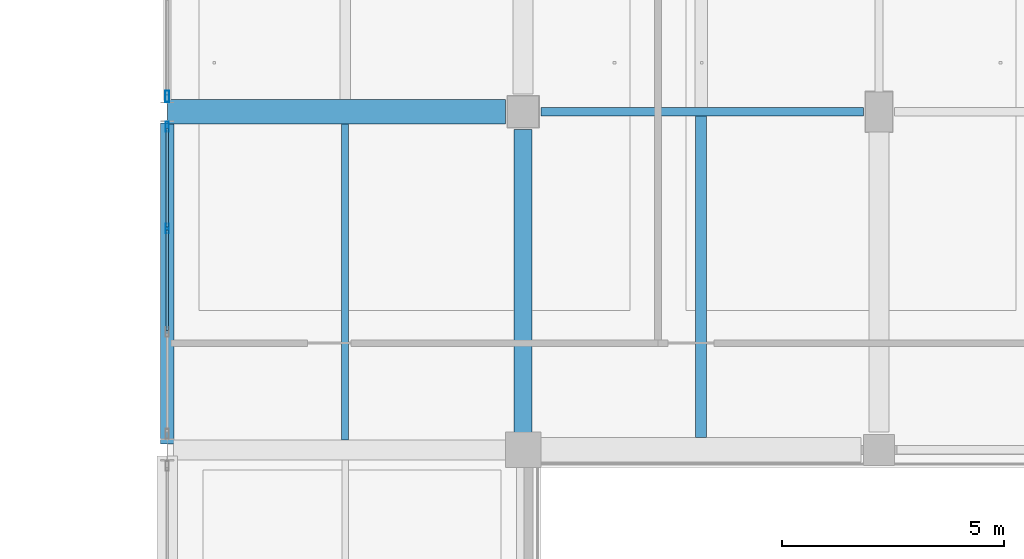
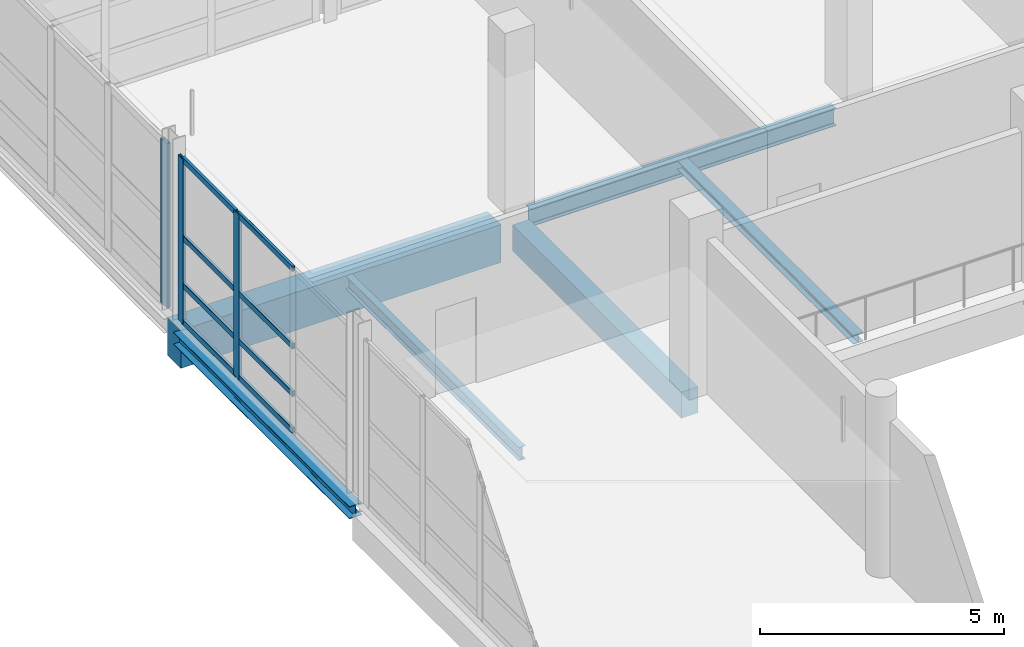
# One storey, part 34 of 107: 11 members, 6 beams, 2 elements without a shape of their own.
"""IFC4 building model written with IfcOpenShell, lengths in metres."""

from ifc_helpers import new_model, si_unit, direction, frame, origin, origin_2d, place, context, subcontext, project, spatial, rectangle, hollow_rectangle, i_section, extrude, material, material_profile, profile_set, type_object, element, aggregate, save


model = new_model("IFC4")

# Units and contexts
model_context = context("Model", 3, precision=1e-05, world=origin(), true_north=direction((0.0, 1.0)))
body_context = subcontext(model_context, "Body", "Model", "MODEL_VIEW")
ifc_project = project(units=[si_unit("LENGTHUNIT", "METRE"), si_unit("AREAUNIT", "SQUARE_METRE"), si_unit("VOLUMEUNIT", "CUBIC_METRE"), si_unit("PLANEANGLEUNIT", "RADIAN"), si_unit("MASSUNIT", "GRAM", prefix="KILO")], contexts=[model_context])

# Site, building, storey
site_placement = place(None, origin())
site = spatial("IfcSite", under=ifc_project, at=site_placement, CompositionType="ELEMENT")
building_placement = place(site_placement, origin())
building = spatial("IfcBuilding", under=site, at=building_placement, Name="Khelvaren Railside Concert Hall", CompositionType="ELEMENT")
storey_placement = place(building_placement, frame((0.0, 0.0, 15.0)))
storey = spatial("IfcBuildingStorey", under=building, at=storey_placement, Name="L03", CompositionType="ELEMENT", Elevation=15.0)

# Beams
ifc_material_1 = material(Name="Concrete C40/50", Category="concrete")
ifc_material_profile_1 = material_profile(ifc_material_1, rectangle(XDim=0.39990234375, YDim=0.64990234375, at=origin_2d()), Name="RCB 400x650")
ifc_profile_set_1 = profile_set([ifc_material_profile_1], Name="Concrete C40/50")
beam_type_1 = type_object("IfcBeamType", Name="BM33", PredefinedType="BEAM", material=ifc_profile_set_1)
beam_1_placement = place(storey_placement, frame((152.0, 23.072998046875, -0.60498046875), z_axis=(0.0, 1.0, 0.0), x_axis=(-1.0, 0.0, 0.0)))
element("IfcBeam", 1, at=beam_1_placement, inside=storey, type_object=beam_type_1, Name="V2 L03 Beam Y2.4", PredefinedType="BEAM", context=body_context, shape_type="SweptSolid", body=[
    extrude(rectangle(XDim=0.39990234375, YDim=0.64990234375, at=origin_2d()), origin(), (0.0, 0.0, 1.0), 6.927001953125),
])
ifc_material_2 = material(Name="Steel S355", Category="steel")
ifc_material_profile_2 = material_profile(ifc_material_2, i_section(OverallWidth=0.18994140625, OverallDepth=0.449951171875, WebThickness=0.009521484375, FlangeThickness=0.0146484375, FilletRadius=0.02099609375, at=origin_2d()), Name="IPE 450")
ifc_profile_set_2 = profile_set([ifc_material_profile_2], Name="Steel S355")
beam_type_2 = type_object("IfcBeamType", Name="BM95", PredefinedType="BEAM", material=ifc_profile_set_2)
beam_2_placement = place(storey_placement, frame((152.39990234375, 30.39990234375, -0.5048828125), z_axis=(1.0, 0.0, 0.0), x_axis=(0.0, 1.0, 0.0)))
element("IfcBeam", 2, at=beam_2_placement, inside=storey, type_object=beam_type_2, Name="V2 L03 Beam X5.2", PredefinedType="BEAM", context=body_context, shape_type="SweptSolid", body=[
    extrude(i_section(OverallWidth=0.18994140625, OverallDepth=0.449951171875, WebThickness=0.009521484375, FlangeThickness=0.0146484375, FilletRadius=0.02099609375, at=origin_2d()), origin(), (0.0, 0.0, 1.0), 7.25),
])

# Curtain wall, members
ifc_material_3 = material(Name="Double-glazed clear foyer glass", Category="glass")
curtain_wall_type_1 = type_object("IfcCurtainWallType", Name="CW70", PredefinedType="USERDEFINED", material=ifc_material_3)
curtain_wall_1_placement = place(storey_placement, origin())
curtain_wall_1 = element("IfcCurtainWall", 3, at=curtain_wall_1_placement, inside=storey, type_object=curtain_wall_type_1, Name="Unitised Curtain Wall CW-V2-L03-W-23", ObjectType="UNITISED CURTAIN WALL", PredefinedType="USERDEFINED")
ifc_material_4 = material(Name="Anodised architectural aluminium 6063-T6", Category="aluminium")
ifc_material_profile_3 = material_profile(ifc_material_4, hollow_rectangle(XDim=0.074951171875, YDim=0.219970703125, WallThickness=0.0048828125, InnerFilletRadius=0.0029296875, OuterFilletRadius=0.0048828125, at=origin_2d()), Name="CWM 75x220x5")
ifc_profile_set_3 = profile_set([ifc_material_profile_3], Name="Anodised architectural aluminium 6063-T6")
member_type_1 = type_object("IfcMemberType", Name="CWM13", PredefinedType="MULLION", material=ifc_profile_set_3)
member_1_placement = place(storey_placement, frame((144.0, 27.77587890625, 0.0), z_axis=(0.0, 0.0, 1.0), x_axis=(-1.0, 0.0, 0.0)))
member_1 = element("IfcMember", 4, at=member_1_placement, type_object=member_type_1, Name="CW70 mullion 3", PredefinedType="MULLION", context=body_context, shape_type="SweptSolid", body=[
    extrude(hollow_rectangle(XDim=0.074951171875, YDim=0.219970703125, WallThickness=0.0048828125, InnerFilletRadius=0.0029296875, OuterFilletRadius=0.0048828125, at=origin_2d()), origin(), (0.0, 0.0, 1.0), 4.1201171875),
])
member_2_placement = place(storey_placement, frame((144.0, 30.06494140625, 0.0), z_axis=(0.0, 0.0, 1.0), x_axis=(-1.0, 0.0, 0.0)))
member_2 = element("IfcMember", 5, at=member_2_placement, type_object=member_type_1, Name="CW70 mullion 4", PredefinedType="MULLION", context=body_context, shape_type="SweptSolid", body=[
    extrude(hollow_rectangle(XDim=0.074951171875, YDim=0.219970703125, WallThickness=0.0048828125, InnerFilletRadius=0.0029296875, OuterFilletRadius=0.0048828125, at=origin_2d()), origin(), (0.0, 0.0, 1.0), 4.1201171875),
])

# Curtain wall, member
ifc_material_5 = material(Name="Acoustic laminated crystal facade glass", Category="glass")
curtain_wall_type_2 = type_object("IfcCurtainWallType", Name="CW21", PredefinedType="USERDEFINED", material=ifc_material_5)
curtain_wall_2_placement = place(storey_placement, origin())
curtain_wall_2 = element("IfcCurtainWall", 6, at=curtain_wall_2_placement, inside=storey, type_object=curtain_wall_type_2, Name="Unitised Curtain Wall CW-V2-L03-W-30", ObjectType="UNITISED CURTAIN WALL", PredefinedType="USERDEFINED")
ifc_material_profile_4 = material_profile(ifc_material_4, hollow_rectangle(XDim=0.0849609375, YDim=0.260009765625, WallThickness=0.0048828125, InnerFilletRadius=0.0029296875, OuterFilletRadius=0.0048828125, at=origin_2d()), Name="CWM 85x260x5")
ifc_profile_set_4 = profile_set([ifc_material_profile_4], Name="Anodised architectural aluminium 6063-T6")
member_type_2 = type_object("IfcMemberType", Name="CWM40", PredefinedType="MULLION", material=ifc_profile_set_4)
member_3_placement = place(storey_placement, frame((144.0, 30.7451171875, 0.0), z_axis=(0.0, 0.0, 1.0), x_axis=(-1.0, 0.0, 0.0)))
member_3 = element("IfcMember", 7, at=member_3_placement, type_object=member_type_2, Name="CW21 mullion 1", PredefinedType="MULLION", context=body_context, shape_type="SweptSolid", body=[
    extrude(hollow_rectangle(XDim=0.0849609375, YDim=0.260009765625, WallThickness=0.0048828125, InnerFilletRadius=0.0029296875, OuterFilletRadius=0.0048828125, at=origin_2d()), origin(), (0.0, 0.0, 1.0), 4.1201171875),
])
aggregate(curtain_wall_2, [member_3])

# Member
ifc_material_profile_5 = material_profile(ifc_material_4, hollow_rectangle(XDim=0.06494140625, YDim=0.139892578125, WallThickness=0.00390625, InnerFilletRadius=0.001953125, OuterFilletRadius=0.00390625, at=origin_2d()), Name="CWT 65x140x4")
ifc_profile_set_5 = profile_set([ifc_material_profile_5], Name="Anodised architectural aluminium 6063-T6")
member_type_3 = type_object("IfcMemberType", Name="CWT72", PredefinedType="USERDEFINED", material=ifc_profile_set_5)
member_4_placement = place(storey_placement, frame((144.0, 25.486572265625, 0.032470703125), z_axis=(0.0, 1.0, 0.0), x_axis=(-1.0, 0.0, 0.0)))
member_4 = element("IfcMember", 8, at=member_4_placement, type_object=member_type_3, Name="CW70 transom 2.1", ObjectType="TRANSOM", PredefinedType="USERDEFINED", context=body_context, shape_type="SweptSolid", body=[
    extrude(hollow_rectangle(XDim=0.06494140625, YDim=0.139892578125, WallThickness=0.00390625, InnerFilletRadius=0.001953125, OuterFilletRadius=0.00390625, at=origin_2d()), origin(), (0.0, 0.0, 1.0), 2.251708984375),
])

member_5_placement = place(storey_placement, frame((144.0, 25.486572265625, 0.949951171875), z_axis=(0.0, 1.0, 0.0), x_axis=(-1.0, 0.0, 0.0)))
member_5 = element("IfcMember", 9, at=member_5_placement, type_object=member_type_3, Name="CW70 transom 2.2", ObjectType="TRANSOM", PredefinedType="USERDEFINED", context=body_context, shape_type="SweptSolid", body=[
    extrude(hollow_rectangle(XDim=0.06494140625, YDim=0.139892578125, WallThickness=0.00390625, InnerFilletRadius=0.001953125, OuterFilletRadius=0.00390625, at=origin_2d()), origin(), (0.0, 0.0, 1.0), 2.251708984375),
])

member_6_placement = place(storey_placement, frame((144.0, 25.486572265625, 2.142333984375), z_axis=(0.0, 1.0, 0.0), x_axis=(-1.0, 0.0, 0.0)))
member_6 = element("IfcMember", 10, at=member_6_placement, type_object=member_type_3, Name="CW70 transom 2.3", ObjectType="TRANSOM", PredefinedType="USERDEFINED", context=body_context, shape_type="SweptSolid", body=[
    extrude(hollow_rectangle(XDim=0.06494140625, YDim=0.139892578125, WallThickness=0.00390625, InnerFilletRadius=0.001953125, OuterFilletRadius=0.00390625, at=origin_2d()), origin(), (0.0, 0.0, 1.0), 2.251708984375),
])

member_7_placement = place(storey_placement, frame((144.0, 25.486572265625, 4.08740234375), z_axis=(0.0, 1.0, 0.0), x_axis=(-1.0, 0.0, 0.0)))
member_7 = element("IfcMember", 11, at=member_7_placement, type_object=member_type_3, Name="CW70 transom 2.4", ObjectType="TRANSOM", PredefinedType="USERDEFINED", context=body_context, shape_type="SweptSolid", body=[
    extrude(hollow_rectangle(XDim=0.06494140625, YDim=0.139892578125, WallThickness=0.00390625, InnerFilletRadius=0.001953125, OuterFilletRadius=0.00390625, at=origin_2d()), origin(), (0.0, 0.0, 1.0), 2.251708984375),
])

member_8_placement = place(storey_placement, frame((144.0, 27.813232421875, 0.032470703125), z_axis=(0.0, 1.0, 0.0), x_axis=(-1.0, 0.0, 0.0)))
member_8 = element("IfcMember", 12, at=member_8_placement, type_object=member_type_3, Name="CW70 transom 3.1", ObjectType="TRANSOM", PredefinedType="USERDEFINED", context=body_context, shape_type="SweptSolid", body=[
    extrude(hollow_rectangle(XDim=0.06494140625, YDim=0.139892578125, WallThickness=0.00390625, InnerFilletRadius=0.001953125, OuterFilletRadius=0.00390625, at=origin_2d()), origin(), (0.0, 0.0, 1.0), 2.21435546875),
])

member_9_placement = place(storey_placement, frame((144.0, 27.813232421875, 0.949951171875), z_axis=(0.0, 1.0, 0.0), x_axis=(-1.0, 0.0, 0.0)))
member_9 = element("IfcMember", 13, at=member_9_placement, type_object=member_type_3, Name="CW70 transom 3.2", ObjectType="TRANSOM", PredefinedType="USERDEFINED", context=body_context, shape_type="SweptSolid", body=[
    extrude(hollow_rectangle(XDim=0.06494140625, YDim=0.139892578125, WallThickness=0.00390625, InnerFilletRadius=0.001953125, OuterFilletRadius=0.00390625, at=origin_2d()), origin(), (0.0, 0.0, 1.0), 2.21435546875),
])

member_10_placement = place(storey_placement, frame((144.0, 27.813232421875, 2.142333984375), z_axis=(0.0, 1.0, 0.0), x_axis=(-1.0, 0.0, 0.0)))
member_10 = element("IfcMember", 14, at=member_10_placement, type_object=member_type_3, Name="CW70 transom 3.3", ObjectType="TRANSOM", PredefinedType="USERDEFINED", context=body_context, shape_type="SweptSolid", body=[
    extrude(hollow_rectangle(XDim=0.06494140625, YDim=0.139892578125, WallThickness=0.00390625, InnerFilletRadius=0.001953125, OuterFilletRadius=0.00390625, at=origin_2d()), origin(), (0.0, 0.0, 1.0), 2.21435546875),
])

member_11_placement = place(storey_placement, frame((144.0, 27.813232421875, 4.08740234375), z_axis=(0.0, 1.0, 0.0), x_axis=(-1.0, 0.0, 0.0)))
member_11 = element("IfcMember", 15, at=member_11_placement, type_object=member_type_3, Name="CW70 transom 3.4", ObjectType="TRANSOM", PredefinedType="USERDEFINED", context=body_context, shape_type="SweptSolid", body=[
    extrude(hollow_rectangle(XDim=0.06494140625, YDim=0.139892578125, WallThickness=0.00390625, InnerFilletRadius=0.001953125, OuterFilletRadius=0.00390625, at=origin_2d()), origin(), (0.0, 0.0, 1.0), 2.21435546875),
])

aggregate(curtain_wall_1, [member_1, member_2, member_4, member_5, member_6, member_7, member_8, member_9, member_10, member_11])

# Beams
ifc_material_profile_6 = material_profile(ifc_material_1, rectangle(XDim=0.550048828125, YDim=0.949951171875, at=origin_2d()), Name="RCB 550x950")
ifc_profile_set_6 = profile_set([ifc_material_profile_6], Name="Concrete C40/50")
beam_type_3 = type_object("IfcBeamType", Name="GR57", PredefinedType="T_BEAM", material=ifc_profile_set_6)
beam_3_placement = place(storey_placement, frame((144.010009765625, 30.39990234375, -0.7548828125), z_axis=(1.0, 0.0, 0.0), x_axis=(0.0, 1.0, 0.0)))
element("IfcBeam", 16, at=beam_3_placement, inside=storey, type_object=beam_type_3, Name="V2 L03 T_Beam X5.1", PredefinedType="T_BEAM", context=body_context, shape_type="SweptSolid", body=[
    extrude(rectangle(XDim=0.550048828125, YDim=0.949951171875, at=origin_2d()), origin(), (0.0, 0.0, 1.0), 7.590087890625),
])
ifc_material_profile_7 = material_profile(ifc_material_2, i_section(OverallWidth=0.159912109375, OverallDepth=0.330078125, WebThickness=0.007568359375, FlangeThickness=0.011474609375, FilletRadius=0.01806640625, at=origin_2d()), Name="IPE 330")
ifc_profile_set_7 = profile_set([ifc_material_profile_7], Name="Steel S355")
beam_type_4 = type_object("IfcBeamType", Name="JS65", PredefinedType="JOIST", material=ifc_profile_set_7)
beam_4_placement = place(storey_placement, frame((148.0, 23.02490234375, -0.445068359375), z_axis=(0.0, 1.0, 0.0), x_axis=(-1.0, 0.0, 0.0)))
element("IfcBeam", 17, at=beam_4_placement, inside=storey, type_object=beam_type_4, Name="V2 L03 Secondary Joist 1.4", PredefinedType="JOIST", context=body_context, shape_type="SweptSolid", body=[
    extrude(i_section(OverallWidth=0.159912109375, OverallDepth=0.330078125, WebThickness=0.007568359375, FlangeThickness=0.011474609375, FilletRadius=0.01806640625, at=origin_2d()), origin(), (0.0, 0.0, 1.0), 7.10009765625),
])
ifc_material_profile_8 = material_profile(ifc_material_2, i_section(OverallWidth=0.239990234375, OverallDepth=0.22998046875, WebThickness=0.007568359375, FlangeThickness=0.011962890625, FilletRadius=0.02099609375, at=origin_2d()), Name="HEA 240")
ifc_profile_set_8 = profile_set([ifc_material_profile_8], Name="Steel S355")
beam_type_5 = type_object("IfcBeamType", Name="JS76", PredefinedType="JOIST", material=ifc_profile_set_8)
beam_5_placement = place(storey_placement, frame((156.0, 23.074951171875, -0.39501953125), z_axis=(0.0, 1.0, 0.0), x_axis=(-1.0, 0.0, 0.0)))
element("IfcBeam", 18, at=beam_5_placement, inside=storey, type_object=beam_type_5, Name="V2 L03 Secondary Joist 2.4", PredefinedType="JOIST", context=body_context, shape_type="SweptSolid", body=[
    extrude(i_section(OverallWidth=0.239990234375, OverallDepth=0.22998046875, WebThickness=0.007568359375, FlangeThickness=0.011962890625, FilletRadius=0.02099609375, at=origin_2d()), origin(), (0.0, 0.0, 1.0), 7.22998046875),
])
ifc_material_profile_9 = material_profile(ifc_material_2, i_section(OverallWidth=0.300048828125, OverallDepth=0.31005859375, WebThickness=0.009033203125, FlangeThickness=0.015380859375, FilletRadius=0.027099609375, at=origin_2d()), Name="HEA 320")
ifc_profile_set_9 = profile_set([ifc_material_profile_9], Name="Steel S355")
beam_type_6 = type_object("IfcBeamType", Name="SP66", PredefinedType="SPANDREL", material=ifc_profile_set_9)
beam_6_placement = place(storey_placement, frame((144.0, 22.93603515625, -0.43505859375), z_axis=(0.0, 1.0, 0.0), x_axis=(-1.0, 0.0, 0.0)))
element("IfcBeam", 19, at=beam_6_placement, inside=storey, type_object=beam_type_6, Name="V2 L03 Spandrel Y1.4", PredefinedType="SPANDREL", context=body_context, shape_type="SweptSolid", body=[
    extrude(i_section(OverallWidth=0.300048828125, OverallDepth=0.31005859375, WebThickness=0.009033203125, FlangeThickness=0.015380859375, FilletRadius=0.027099609375, at=origin_2d()), origin(), (0.0, 0.0, 1.0), 7.2138671875),
])

save(model, "model.ifc")
